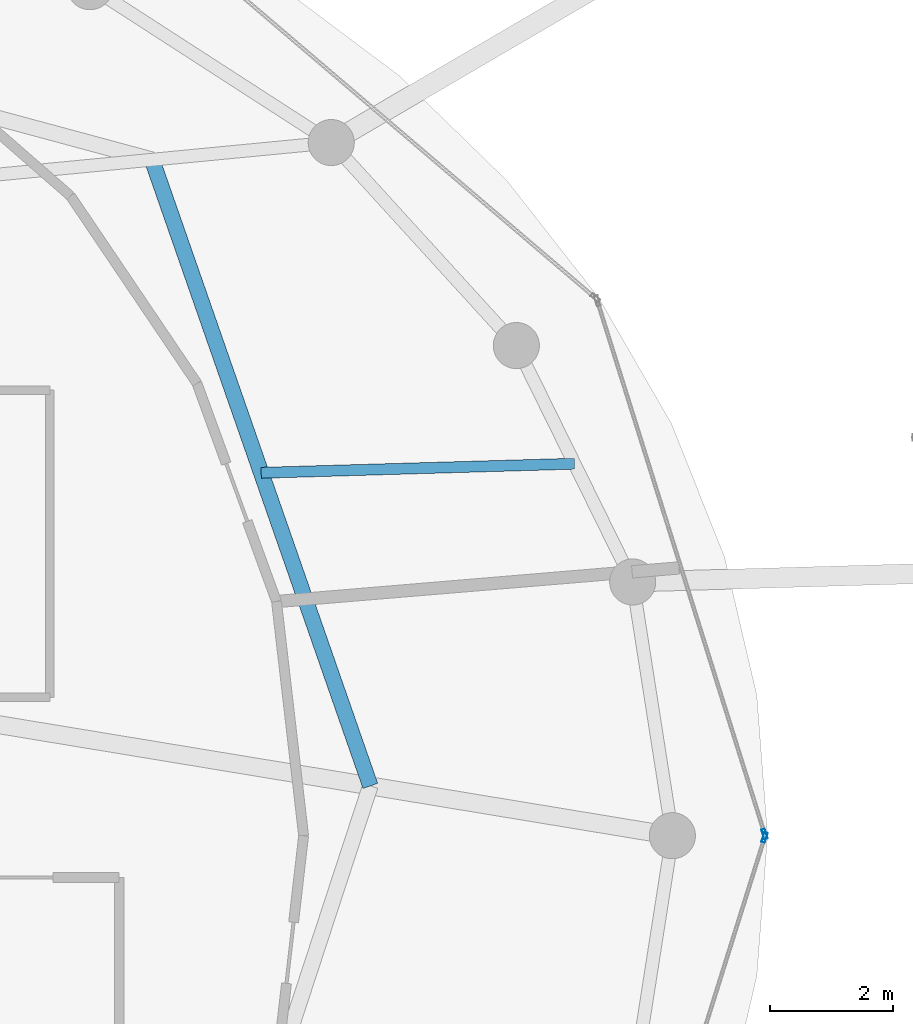
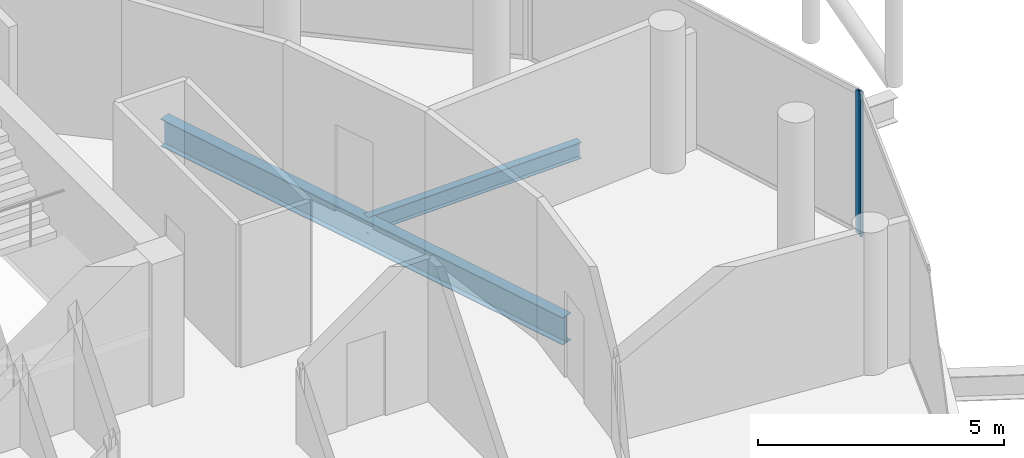
# One storey, part 12 of 24: 2 beams, 2 members, 2 elements without a shape of their own.
"""IFC4 building model written with IfcOpenShell, lengths in metres."""

from ifc_helpers import new_model, si_unit, direction, frame, origin, origin_2d, place, context, subcontext, project, spatial, hollow_rectangle, i_section, extrude, material, layer, layer_set, material_profile, profile_set, type_object, element, aggregate, save


model = new_model("IFC4")

# Units and contexts
model_context = context("Model", 3, precision=1e-05, world=origin(), true_north=direction((0.0, 1.0)))
body_context = subcontext(model_context, "Body", "Model", "MODEL_VIEW")
ifc_project = project(units=[si_unit("LENGTHUNIT", "METRE"), si_unit("AREAUNIT", "SQUARE_METRE"), si_unit("VOLUMEUNIT", "CUBIC_METRE"), si_unit("PLANEANGLEUNIT", "RADIAN"), si_unit("MASSUNIT", "GRAM", prefix="KILO")], contexts=[model_context])

# Site, building, storey
site_placement = place(None, origin())
site = spatial("IfcSite", under=ifc_project, at=site_placement, CompositionType="ELEMENT")
building_placement = place(site_placement, origin())
building = spatial("IfcBuilding", under=site, at=building_placement, Name="Nuhasar Tower", CompositionType="ELEMENT")
storey_placement = place(building_placement, frame((0.0, 0.0, 282.199951171875)))
storey = spatial("IfcBuildingStorey", under=building, at=storey_placement, Name="L70", CompositionType="ELEMENT", Elevation=282.199951171875)

# Beams
ifc_material_1 = material(Name="Steel S355", Category="steel")
ifc_material_profile_1 = material_profile(ifc_material_1, i_section(OverallWidth=0.25390625, OverallDepth=0.68408203125, WebThickness=0.012451171875, FlangeThickness=0.018798828125, at=origin_2d()), Name="W27X94")
ifc_profile_set_1 = profile_set([ifc_material_profile_1], Name="Steel S355")
beam_type_1 = type_object("IfcBeamType", Name="BM-INRING-W27X94", PredefinedType="BEAM", material=ifc_profile_set_1)
beam_1_placement = place(storey_placement, frame((53.035888671875, 27.610107421875, -0.60205078125), z_axis=(-0.329211236979, 0.944256300718, 0.0), x_axis=(-0.944256300718, -0.329211236979, 0.0)))
element("IfcBeam", 1, at=beam_1_placement, inside=storey, type_object=beam_type_1, Name="L70 Inner Header Beam 04", PredefinedType="BEAM", context=body_context, shape_type="SweptSolid", body=[
    extrude(i_section(OverallWidth=0.25390625, OverallDepth=0.68408203125, WebThickness=0.012451171875, FlangeThickness=0.018798828125, at=origin_2d()), origin(), (0.0, 0.0, 1.0), 10.78955078125),
])
ifc_material_profile_2 = material_profile(ifc_material_1, i_section(OverallWidth=0.177978515625, OverallDepth=0.406005859375, WebThickness=0.0078125, FlangeThickness=0.0126953125, at=origin_2d()), Name="W16X40")
ifc_profile_set_2 = profile_set([ifc_material_profile_2], Name="Steel S355")
beam_type_2 = type_object("IfcBeamType", Name="BM-JST-W16X40", PredefinedType="JOIST", material=ifc_profile_set_2)
beam_2_placement = place(storey_placement, frame((51.260009765625, 32.7041015625, -0.462890625), z_axis=(0.999579139243, 0.02900938453, 0.0), x_axis=(-0.02900938453, 0.999579139243, 0.0)))
element("IfcBeam", 2, at=beam_2_placement, inside=storey, type_object=beam_type_2, Name="L70 Secondary Floor Joist 04", PredefinedType="JOIST", context=body_context, shape_type="SweptSolid", body=[
    extrude(i_section(OverallWidth=0.177978515625, OverallDepth=0.406005859375, WebThickness=0.0078125, FlangeThickness=0.0126953125, at=origin_2d()), origin(), (0.0, 0.0, 1.0), 5.10009765625),
])

# Curtain wall, member
ifc_material_2 = material(Name="Aluminium 6063-T6", Category="aluminium")
ifc_layer = layer(ifc_material_2, 0.18994140625)
ifc_layer_set = layer_set([ifc_layer], Name="Aluminium 6063-T6")
curtain_wall_type = type_object("IfcCurtainWallType", Name="CW-Z4-PEN", PredefinedType="NOTDEFINED", material=ifc_layer_set)
curtain_wall_1_placement = place(storey_placement, origin())
curtain_wall_1 = element("IfcCurtainWall", 3, at=curtain_wall_1_placement, inside=storey, type_object=curtain_wall_type, Name="L70 Unitised Curtain Wall 01", PredefinedType="NOTDEFINED")
ifc_material_profile_3 = material_profile(ifc_material_2, hollow_rectangle(XDim=0.06005859375, YDim=0.1650390625, WallThickness=0.0048828125, at=origin_2d()), Name="CWM-5")
ifc_profile_set_3 = profile_set([ifc_material_profile_3], Name="Aluminium 6063-T6")
member_type = type_object("IfcMemberType", Name="CW-MUL-S5", PredefinedType="MULLION", material=ifc_profile_set_3)
member_1_placement = place(storey_placement, frame((59.450927734375, 26.82861328125, 0.0), z_axis=(0.0, 0.0, 1.0), x_axis=(-0.954078526601, -0.299556614146, 0.0)))
member_1 = element("IfcMember", 4, at=member_1_placement, type_object=member_type, Name="CW-Z4 mullion 1", PredefinedType="MULLION", context=body_context, shape_type="SweptSolid", body=[
    extrude(hollow_rectangle(XDim=0.06005859375, YDim=0.1650390625, WallThickness=0.0048828125, at=origin_2d()), origin(), (0.0, 0.0, 1.0), 3.5400390625),
])
aggregate(curtain_wall_1, [member_1])

curtain_wall_2_placement = place(storey_placement, origin())
curtain_wall_2 = element("IfcCurtainWall", 5, at=curtain_wall_2_placement, inside=storey, type_object=curtain_wall_type, Name="L70 Unitised Curtain Wall 12", PredefinedType="NOTDEFINED")
member_2_placement = place(storey_placement, frame((59.450927734375, 26.771484375, 0.0), z_axis=(0.0, 0.0, 1.0), x_axis=(-0.954078526601, 0.299556614146, 0.0)))
member_2 = element("IfcMember", 6, at=member_2_placement, type_object=member_type, Name="CW-Z4 mullion 2", PredefinedType="MULLION", context=body_context, shape_type="SweptSolid", body=[
    extrude(hollow_rectangle(XDim=0.06005859375, YDim=0.1650390625, WallThickness=0.0048828125, at=origin_2d()), origin(), (0.0, 0.0, 1.0), 3.5400390625),
])
aggregate(curtain_wall_2, [member_2])

save(model, "model.ifc")
